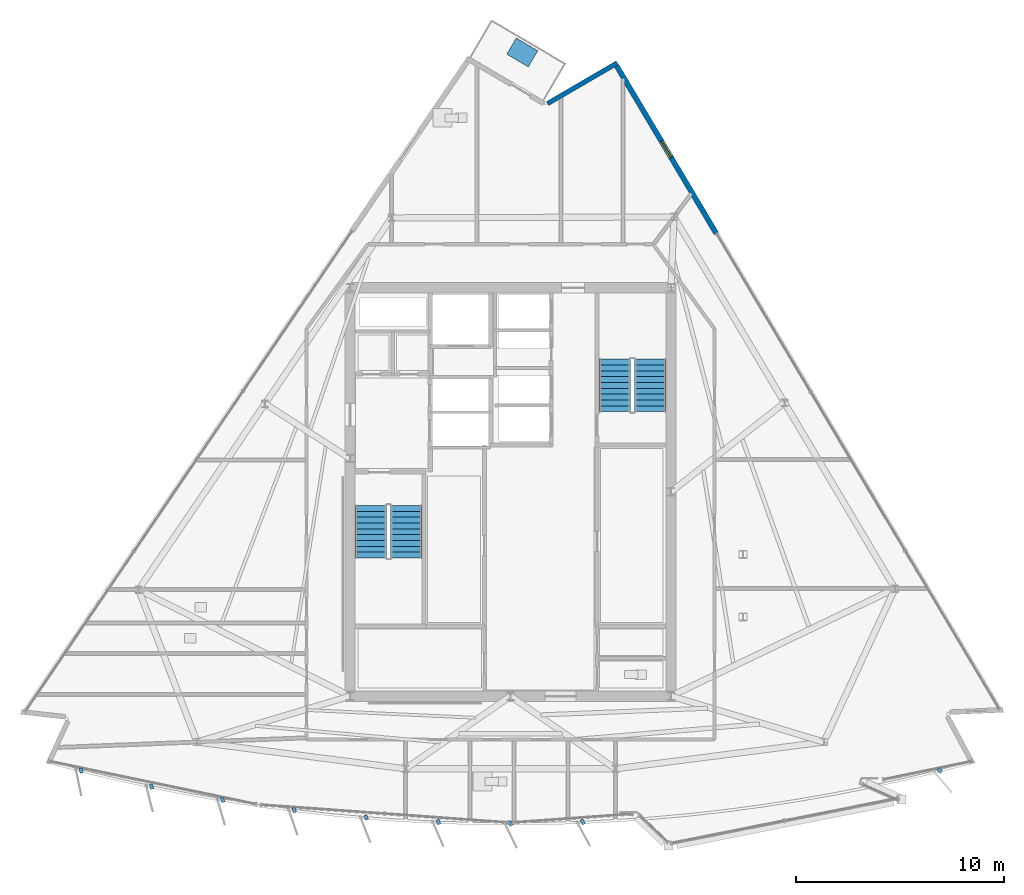
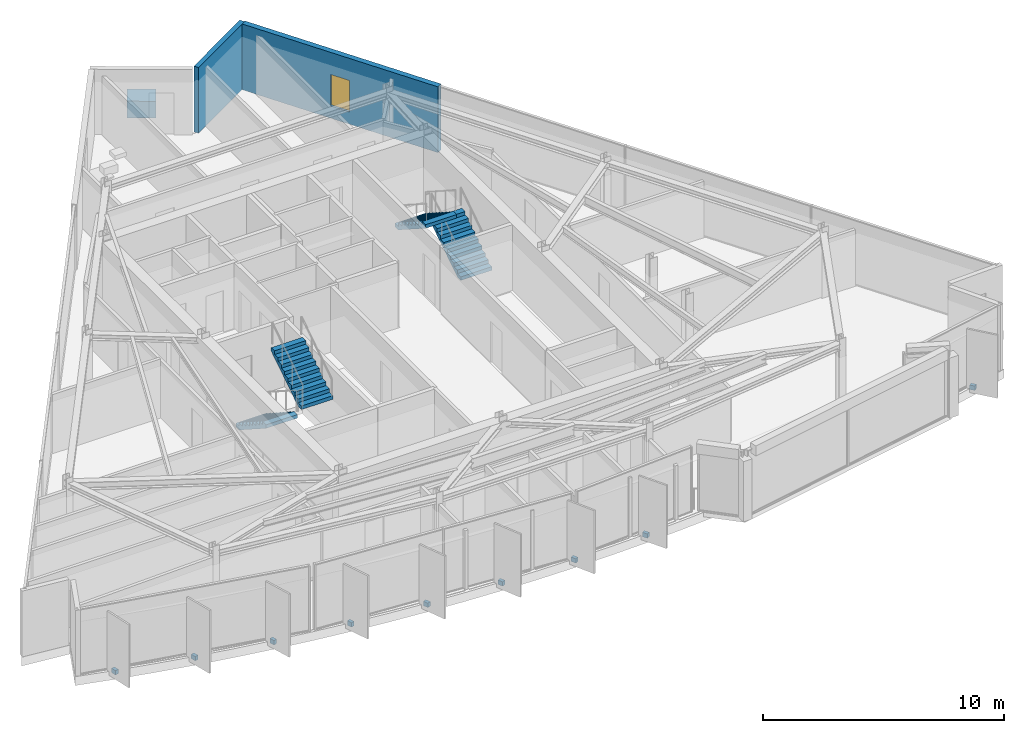
# One storey, part 10 of 14: 10 discrete accessories, 4 stair flights, 2 walls, 1 window, 1 opening, 2 elements without a shape of their own.
"""IFC4 building model written with IfcOpenShell, lengths in metres."""

import ifcopenshell
import ifcopenshell.guid

model = None  # the IFC model being written
_history = None  # IfcOwnerHistory: only IFC2X3 demands one
_inside = {}  # id of a spatial element -> (the spatial element, [elements in it])
_under = {}  # id of a project, library or spatial element -> (it, [spatial elements below it])
_declared = {}  # id of a project -> (the project, [libraries it declares])
_typed = {}  # id of a type object -> (the type object, [elements of that type])
_made_of = {}  # id of a material, layer set ... -> (it, [elements and type objects made of it])


def new_model(schema):
    """Start an empty IFC model of exactly this schema.

    Asked for "IFC4X3", IfcOpenShell would pick the latest addendum, in which some entities
    have other attributes; the version numbers below select the first issue.
    IFC2X3 requires an IfcOwnerHistory on every rooted entity: one is made here for all.
    """
    global model, _history
    if schema == "IFC4X3":
        model = ifcopenshell.file(schema_version=(4, 3, 0, 0))
    else:
        model = ifcopenshell.file(schema=schema)
    _inside.clear()
    _under.clear()
    _declared.clear()
    _typed.clear()
    _made_of.clear()
    _history = None
    if model.schema == "IFC2X3":
        org = make("IfcOrganization", Name="unknown")
        user = make(
            "IfcPersonAndOrganization",
            ThePerson=make("IfcPerson", FamilyName="unknown"),
            TheOrganization=org,
        )
        app = make(
            "IfcApplication",
            ApplicationDeveloper=org,
            Version="unknown",
            ApplicationFullName="unknown",
            ApplicationIdentifier="unknown",
        )
        _history = make(
            "IfcOwnerHistory",
            OwningUser=user,
            OwningApplication=app,
            ChangeAction="ADDED",
            CreationDate=0,
        )
    return model


def make(cls, **values):
    """One entity of the class cls with the attributes given. An attribute that is None is left unset."""
    return model.create_entity(
        cls, **{name: value for name, value in values.items() if value is not None}
    )


def rooted(cls, **values):
    """An entity with a GlobalId (a new one), such as an element, a storey or a relation."""
    return make(cls, GlobalId=ifcopenshell.guid.new(), OwnerHistory=_history, **values)


def si_unit(unit_type, name, prefix=None):
    """IfcSIUnit, for example si_unit("LENGTHUNIT", "METRE", prefix="MILLI")."""
    return make("IfcSIUnit", UnitType=unit_type, Prefix=prefix, Name=name)


def assignment(units):
    """IfcUnitAssignment: the units of a project."""
    return None if units is None else make("IfcUnitAssignment", Units=units)


def point(xyz):
    """IfcCartesianPoint."""
    return None if xyz is None else make("IfcCartesianPoint", Coordinates=xyz)


def direction(xyz):
    """IfcDirection."""
    return None if xyz is None else make("IfcDirection", DirectionRatios=xyz)


def frame(location, z_axis=None, x_axis=None):
    """IfcAxis2Placement3D, a coordinate frame: its origin and axes. An axis left out is left unset."""
    return make(
        "IfcAxis2Placement3D",
        Location=point(location),
        Axis=direction(z_axis),
        RefDirection=direction(x_axis),
    )


def frame_2d(location, x_axis=None):
    """IfcAxis2Placement2D, a coordinate frame in the plane: its origin and x axis."""
    return make(
        "IfcAxis2Placement2D", Location=point(location), RefDirection=direction(x_axis)
    )


def origin():
    """The frame at (0, 0, 0) with its axes left unset."""
    return frame((0.0, 0.0, 0.0))


def origin_2d():
    """The frame at (0, 0) in the plane with its x axis left unset."""
    return frame_2d((0.0, 0.0))


def place(relative_to, where):
    """IfcLocalPlacement: puts the frame where relative to a parent placement (None: the world)."""
    return make(
        "IfcLocalPlacement", PlacementRelTo=relative_to, RelativePlacement=where
    )


def context(
    kind, dimensions, precision=None, world=None, true_north=None, identifier=None
):
    """IfcGeometricRepresentationContext, for example the 3D "Model" context."""
    return make(
        "IfcGeometricRepresentationContext",
        ContextIdentifier=identifier,
        ContextType=kind,
        CoordinateSpaceDimension=dimensions,
        Precision=precision,
        WorldCoordinateSystem=world,
        TrueNorth=true_north,
    )


def subcontext(parent, identifier, kind, view, scale=None):
    """IfcGeometricRepresentationSubContext, for example "Body" below "Model"."""
    return make(
        "IfcGeometricRepresentationSubContext",
        ContextIdentifier=identifier,
        ContextType=kind,
        ParentContext=parent,
        TargetScale=scale,
        TargetView=view,
    )


def project(units=None, contexts=None):
    """IfcProject with its units and contexts."""
    return rooted(
        "IfcProject",
        Name="project",
        RepresentationContexts=contexts,
        UnitsInContext=assignment(units),
    )


def spatial(cls, under=None, at=None, **own):
    """A site, building, storey or space (cls), placed at a placement, below another one or the project."""
    s = rooted(cls, ObjectPlacement=at, **own)
    if under is not None:
        _under.setdefault(under.id(), (under, []))[1].append(s)
    return s


def polyline(points):
    """IfcPolyline through the points."""
    return make("IfcPolyline", Points=[point(p) for p in points])


def profile(cls, at=None, kind="AREA", **sizes):
    """A parametric profile (cls). Its sizes go by their IFC names, for example OverallWidth=200.0."""
    return make(cls, ProfileType=kind, Position=at, **sizes)


def rectangle(**sizes):
    """IfcRectangleProfileDef."""
    return profile("IfcRectangleProfileDef", **sizes)


def outline(outer, holes=None, kind="AREA"):
    """IfcArbitraryClosedProfileDef: a profile drawn as a closed curve; with holes, ...WithVoids."""
    if holes is None:
        return make("IfcArbitraryClosedProfileDef", ProfileType=kind, OuterCurve=outer)
    return make(
        "IfcArbitraryProfileDefWithVoids",
        ProfileType=kind,
        OuterCurve=outer,
        InnerCurves=holes,
    )


def extrude(swept, where, along, depth):
    """IfcExtrudedAreaSolid: the profile swept, set in the frame where, extruded along a direction by depth."""
    return make(
        "IfcExtrudedAreaSolid",
        SweptArea=swept,
        Position=where,
        ExtrudedDirection=direction(along),
        Depth=depth,
    )


def shape(context_of_items, identifier, shape_type, items):
    """IfcShapeRepresentation: the items that make up one representation, for example the "Body"."""
    return make(
        "IfcShapeRepresentation",
        ContextOfItems=context_of_items,
        RepresentationIdentifier=identifier,
        RepresentationType=shape_type,
        Items=items,
    )


def material(Name=None, Category=None):
    """IfcMaterial."""
    return make("IfcMaterial", Name=Name, Category=Category)


def layer(
    of_material, thickness, ventilated=None, Name=None, Category=None, Priority=None
):
    """IfcMaterialLayer: one layer of a wall or slab, of a material (None: an air gap)."""
    return make(
        "IfcMaterialLayer",
        Material=of_material,
        LayerThickness=thickness,
        IsVentilated=ventilated,
        Name=Name,
        Category=Category,
        Priority=Priority,
    )


def layer_set(layers, Name=None):
    """IfcMaterialLayerSet."""
    return make("IfcMaterialLayerSet", MaterialLayers=layers, LayerSetName=Name)


def made_of(thing, what):
    """Note that an element or type object is made of a material, layer set ...; save() writes the relation."""
    if what is not None:
        _made_of.setdefault(what.id(), (what, []))[1].append(thing)
    return thing


def type_object(cls, material=None, **own):
    """A type object (cls), such as IfcWallType, which elements share."""
    return made_of(rooted(cls, **own), material)


def element(
    cls,
    number,
    at=None,
    inside=None,
    cuts=None,
    type_object=None,
    material=None,
    context=None,
    identifier="Body",
    shape_type=None,
    held_by="IfcProductDefinitionShape",
    body=None,
    shapes=None,
    **own,
):
    """One element of the class cls, such as IfcWall. Its Tag is "e" and its number.

    at: its placement. inside: the storey or other place that contains it. cuts: it is an
    opening in that element (IfcRelVoidsElement). A single representation is given by context,
    identifier, shape_type and body (its items); several are given by shapes. held_by: the class
    of the entity that holds the representations. save() writes the other relations.
    """
    e = rooted(cls, Tag="e%d" % number, ObjectPlacement=at, **own)
    if body is not None:
        shapes = [shape(context, identifier, shape_type, body)]
    if shapes is not None:
        e.Representation = make(held_by, Representations=shapes)
    if inside is not None:
        _inside.setdefault(inside.id(), (inside, []))[1].append(e)
    if cuts is not None:
        rooted(
            "IfcRelVoidsElement", RelatingBuildingElement=cuts, RelatedOpeningElement=e
        )
    if type_object is not None:
        _typed.setdefault(type_object.id(), (type_object, []))[1].append(e)
    return made_of(e, material)


def fill(opening, filler):
    """IfcRelFillsElement: the door or window that sits in an opening."""
    return rooted(
        "IfcRelFillsElement",
        RelatingOpeningElement=opening,
        RelatedBuildingElement=filler,
    )


def aggregate(whole, parts):
    """IfcRelAggregates: a whole, such as a stair, and the parts it consists of."""
    return rooted("IfcRelAggregates", RelatingObject=whole, RelatedObjects=parts)


def save(model, path):
    """Write the relations noted so far, then the file.

    IfcRelAggregates (storeys below a building ...), IfcRelContainedInSpatialStructure (elements
    in a storey), IfcRelDefinesByType, IfcRelAssociatesMaterial and IfcRelDeclares: one each for
    every whole, place, type object, material and project.
    """
    for whole, parts in _under.values():
        aggregate(whole, parts)
    for where, things in _inside.values():
        rooted(
            "IfcRelContainedInSpatialStructure",
            RelatedElements=things,
            RelatingStructure=where,
        )
    for kind, things in _typed.values():
        rooted("IfcRelDefinesByType", RelatedObjects=things, RelatingType=kind)
    for what, things in _made_of.values():
        rooted("IfcRelAssociatesMaterial", RelatedObjects=things, RelatingMaterial=what)
    for by, libraries in _declared.values():
        rooted("IfcRelDeclares", RelatingContext=by, RelatedDefinitions=libraries)
    model.write(path)


model = new_model("IFC4")

# Units and contexts
model_context = context("Model", 3, precision=1e-05, world=origin(), true_north=direction((0.0, 1.0)))
body_context = subcontext(model_context, "Body", "Model", "MODEL_VIEW")
ifc_project = project(units=[si_unit("LENGTHUNIT", "METRE"), si_unit("AREAUNIT", "SQUARE_METRE"), si_unit("VOLUMEUNIT", "CUBIC_METRE"), si_unit("PLANEANGLEUNIT", "RADIAN"), si_unit("MASSUNIT", "GRAM", prefix="KILO")], contexts=[model_context])

# Site, building, storey
site_placement = place(None, origin())
site = spatial("IfcSite", under=ifc_project, at=site_placement, CompositionType="ELEMENT")
building_placement = place(site_placement, origin())
building = spatial("IfcBuilding", under=site, at=building_placement, Name="Savorim Split Tower", CompositionType="ELEMENT")
storey_placement = place(building_placement, frame((0.0, 0.0, 294.0)))
storey = spatial("IfcBuildingStorey", under=building, at=storey_placement, Name="L78", CompositionType="ELEMENT", Elevation=294.0)

# Wall
ifc_material_1 = material(Name="Precast concrete C40/50", Category="concrete")
ifc_layer_1 = layer(ifc_material_1, 0.219970703125)
ifc_layer_set_1 = layer_set([ifc_layer_1], Name="WAL-EXT-CRN220")
wall_type_1 = type_object("IfcWallType", Name="WAL-EXT-CRN220", PredefinedType="SOLIDWALL", material=ifc_layer_set_1)
wall_1_placement = place(storey_placement, frame((1.78271484375, 19.031005859375, 0.0), z_axis=(0.0, 0.0, 1.0), x_axis=(0.863972097652, 0.503539685108, 0.0)))
element("IfcWall", 1, at=wall_1_placement, inside=storey, type_object=wall_type_1, Name="L78 Notched Corner Facade Wall NE1", PredefinedType="SOLIDWALL", context=body_context, shape_type="SweptSolid", body=[
    extrude(rectangle(XDim=3.8486328125, YDim=0.219970703125, at=frame_2d((1.92431640625, 0.0))), origin(), (0.0, 0.0, 1.0), 3.340087890625),
])

# Wall, opening, window
ifc_layer_2 = layer(ifc_material_1, 0.25)
ifc_layer_set_2 = layer_set([ifc_layer_2], Name="WAL-EXT-SPN250")
wall_type_2 = type_object("IfcWallType", Name="WAL-EXT-SPN250", PredefinedType="SOLIDWALL", material=ifc_layer_set_2)
wall_2_placement = place(storey_placement, frame((5.09130859375, 20.84228515625, 0.0), z_axis=(0.0, 0.0, 1.0), x_axis=(0.511095217069, -0.859524100354, 0.0)))
wall_2 = element("IfcWall", 2, at=wall_2_placement, inside=storey, type_object=wall_type_2, Name="L78 East Operable Window Pier", PredefinedType="SOLIDWALL", context=body_context, shape_type="SweptSolid", body=[
    extrude(rectangle(XDim=9.344482421875, YDim=0.25, at=frame_2d((4.67236328125, 0.0))), origin(), (0.0, 0.0, 1.0), 3.340087890625),
])
opening_placement = place(wall_2_placement, frame((4.22216796875, 0.0, 0.6201171875)))
opening = element("IfcOpeningElement", 3, at=opening_placement, cuts=wall_2, Name="Opening WN-10", PredefinedType="OPENING", context=body_context, shape_type="SweptSolid", body=[
    extrude(rectangle(XDim=0.89990234375, YDim=1.60009765625, at=frame_2d((0.449951171875, 0.800048828125))), frame((0.0, 0.135009765625, 0.0), z_axis=(0.0, -1.0, 0.0), x_axis=(1.0, 0.0, 0.0)), (0.0, 0.0, 1.0), 0.27001953125),
])
ifc_material_2 = material(Name="Low-E Operable Double Glazing", Category="glass")
window_type = type_object("IfcWindowType", Name="WIN-TWR-900x1600", PartitioningType="SINGLE_PANEL", PredefinedType="WINDOW", material=ifc_material_2)
window_placement = place(opening_placement, origin())
window = element("IfcWindow", 4, at=window_placement, inside=storey, type_object=window_type, Name="L78 East Operable Ventilation Window", OverallHeight=1.60009765625, OverallWidth=0.89990234375, PartitioningType="SINGLE_PANEL", PredefinedType="WINDOW", context=body_context, shape_type="SweptSolid", body=[
    extrude(rectangle(XDim=0.89990234375, YDim=1.60009765625, at=frame_2d((0.449951171875, 0.800048828125))), frame((0.0, 0.030029296875, 0.0), z_axis=(0.0, -1.0, 0.0), x_axis=(1.0, 0.0, 0.0)), (0.0, 0.0, 1.0), 0.06005859375),
])
fill(opening, window)

# Stair, stair flights
ifc_material_3 = material(Name="Concrete C50/60", Category="concrete")
stair_type = type_object("IfcStairType", Name="STR-DOG-3600", PredefinedType="HALF_TURN_STAIR", material=ifc_material_3)
stair_1_placement = place(storey_placement, origin())
stair_1 = element("IfcStair", 5, at=stair_1_placement, inside=storey, type_object=stair_type, Name="L78 Core Protected Exit Stair ST-1", PredefinedType="HALF_TURN_STAIR")
stair_flight_type = type_object("IfcStairFlightType", Name="SFL-DOG-3600", PredefinedType="STRAIGHT", material=ifc_material_3)
stair_flight_1_placement = place(storey_placement, frame((-6.699951171875, -0.25, 0.0), z_axis=(0.0, 0.0, 1.0), x_axis=(0.0, -1.0, 0.0)))
stair_flight_1 = element("IfcStairFlight", 6, at=stair_flight_1_placement, type_object=stair_flight_type, Name="ST-1 flight 1", NumberOfRisers=10, NumberOfTreads=9, PredefinedType="STRAIGHT", RiserHeight=0.18, TreadLength=0.28, context=body_context, shape_type="SweptSolid", body=[
    extrude(outline(polyline([(0.0, 0.0), (0.0, 0.179931640625), (0.280029296875, 0.179931640625), (0.280029296875, 0.360107421875), (0.56005859375, 0.360107421875), (0.56005859375, 0.5400390625), (0.840087890625, 0.5400390625), (0.840087890625, 0.719970703125), (1.1201171875, 0.719970703125), (1.1201171875, 0.89990234375), (1.39990234375, 0.89990234375), (1.39990234375, 1.080078125), (1.679931640625, 1.080078125), (1.679931640625, 1.260009765625), (1.9599609375, 1.260009765625), (1.9599609375, 1.43994140625), (2.239990234375, 1.43994140625), (2.239990234375, 1.6201171875), (2.52001953125, 1.6201171875), (2.52001953125, 1.800048828125), (2.52001953125, 1.44189453125), (0.277099609375, 0.0), (0.0, 0.0)])), frame((0.0, 0.75, 0.0), z_axis=(0.0, -1.0, 0.0), x_axis=(1.0, 0.0, 0.0)), (0.0, 0.0, 1.0), 1.5),
])
stair_flight_2_placement = place(storey_placement, frame((-5.0, -2.77001953125, 1.800048828125), z_axis=(0.0, 0.0, 1.0), x_axis=(0.0, 1.0, 0.0)))
stair_flight_2 = element("IfcStairFlight", 7, at=stair_flight_2_placement, type_object=stair_flight_type, Name="ST-1 flight 2", NumberOfRisers=10, NumberOfTreads=9, PredefinedType="STRAIGHT", RiserHeight=0.18, TreadLength=0.28, context=body_context, shape_type="SweptSolid", body=[
    extrude(outline(polyline([(0.0, 0.0), (0.0, 0.179931640625), (0.280029296875, 0.179931640625), (0.280029296875, 0.360107421875), (0.56005859375, 0.360107421875), (0.56005859375, 0.5400390625), (0.840087890625, 0.5400390625), (0.840087890625, 0.719970703125), (1.1201171875, 0.719970703125), (1.1201171875, 0.89990234375), (1.39990234375, 0.89990234375), (1.39990234375, 1.080078125), (1.679931640625, 1.080078125), (1.679931640625, 1.260009765625), (1.9599609375, 1.260009765625), (1.9599609375, 1.43994140625), (2.239990234375, 1.43994140625), (2.239990234375, 1.6201171875), (2.52001953125, 1.6201171875), (2.52001953125, 1.800048828125), (2.52001953125, 1.44189453125), (0.277099609375, 0.0), (0.0, 0.0)])), frame((0.0, 0.75, 0.0), z_axis=(0.0, -1.0, 0.0), x_axis=(1.0, 0.0, 0.0)), (0.0, 0.0, 1.0), 1.5),
])
aggregate(stair_1, [stair_flight_1, stair_flight_2])

stair_2_placement = place(storey_placement, origin())
stair_2 = element("IfcStair", 8, at=stair_2_placement, inside=storey, type_object=stair_type, Name="L78 Core Protected Exit Stair ST-2", PredefinedType="HALF_TURN_STAIR")
stair_flight_3_placement = place(storey_placement, frame((6.699951171875, 4.25, 0.0), z_axis=(0.0, 0.0, 1.0), x_axis=(0.0, 1.0, 0.0)))
stair_flight_3 = element("IfcStairFlight", 9, at=stair_flight_3_placement, type_object=stair_flight_type, Name="ST-2 flight 1", NumberOfRisers=10, NumberOfTreads=9, PredefinedType="STRAIGHT", RiserHeight=0.18, TreadLength=0.28, context=body_context, shape_type="SweptSolid", body=[
    extrude(outline(polyline([(0.0, 0.0), (0.0, 0.179931640625), (0.280029296875, 0.179931640625), (0.280029296875, 0.360107421875), (0.56005859375, 0.360107421875), (0.56005859375, 0.5400390625), (0.840087890625, 0.5400390625), (0.840087890625, 0.719970703125), (1.1201171875, 0.719970703125), (1.1201171875, 0.89990234375), (1.39990234375, 0.89990234375), (1.39990234375, 1.080078125), (1.679931640625, 1.080078125), (1.679931640625, 1.260009765625), (1.9599609375, 1.260009765625), (1.9599609375, 1.43994140625), (2.239990234375, 1.43994140625), (2.239990234375, 1.6201171875), (2.52001953125, 1.6201171875), (2.52001953125, 1.800048828125), (2.52001953125, 1.44189453125), (0.277099609375, 0.0), (0.0, 0.0)])), frame((0.0, 0.75, 0.0), z_axis=(0.0, -1.0, 0.0), x_axis=(1.0, 0.0, 0.0)), (0.0, 0.0, 1.0), 1.5),
])
stair_flight_4_placement = place(storey_placement, frame((5.0, 6.77001953125, 1.800048828125), z_axis=(0.0, 0.0, 1.0), x_axis=(0.0, -1.0, 0.0)))
stair_flight_4 = element("IfcStairFlight", 10, at=stair_flight_4_placement, type_object=stair_flight_type, Name="ST-2 flight 2", NumberOfRisers=10, NumberOfTreads=9, PredefinedType="STRAIGHT", RiserHeight=0.18, TreadLength=0.28, context=body_context, shape_type="SweptSolid", body=[
    extrude(outline(polyline([(0.0, 0.0), (0.0, 0.179931640625), (0.280029296875, 0.179931640625), (0.280029296875, 0.360107421875), (0.56005859375, 0.360107421875), (0.56005859375, 0.5400390625), (0.840087890625, 0.5400390625), (0.840087890625, 0.719970703125), (1.1201171875, 0.719970703125), (1.1201171875, 0.89990234375), (1.39990234375, 0.89990234375), (1.39990234375, 1.080078125), (1.679931640625, 1.080078125), (1.679931640625, 1.260009765625), (1.9599609375, 1.260009765625), (1.9599609375, 1.43994140625), (2.239990234375, 1.43994140625), (2.239990234375, 1.6201171875), (2.52001953125, 1.6201171875), (2.52001953125, 1.800048828125), (2.52001953125, 1.44189453125), (0.277099609375, 0.0), (0.0, 0.0)])), frame((0.0, 0.75, 0.0), z_axis=(0.0, -1.0, 0.0), x_axis=(1.0, 0.0, 0.0)), (0.0, 0.0, 1.0), 1.5),
])
aggregate(stair_2, [stair_flight_3, stair_flight_4])

# Discrete accessories
ifc_material_4 = material(Name="Steel S355", Category="steel")
discrete_accessory_type_1 = type_object("IfcDiscreteAccessoryType", Name="ACC-BRK-FIN", PredefinedType="BRACKET", material=ifc_material_4)
for number, where, z_axis, x_axis, name in (
    (11, (-20.595703125, -12.967529296875, -0.18994140625), (0.0, 0.0, 1.0), (0.206721626106, -0.978399800337, 0.0), "L78 Fin Slab-Edge Cleat Bracket 01"),
    (12, (-17.216064453125, -13.7412109375, -0.18994140625), (0.0, 0.0, 1.0), (0.246581250663, -0.969122121727, 0.0), "L78 Fin Slab-Edge Cleat Bracket 02"),
    (13, (-13.8076171875, -14.376220703125, -0.18994140625), (0.0, 0.0, 1.0), (0.286026212504, -0.958221793616, 0.0), "L78 Fin Slab-Edge Cleat Bracket 03"),
    (14, (-10.3759765625, -14.87109375, -0.18994140625), (0.0, 0.0, 1.0), (0.324993810493, -0.945716143005, 0.0), "L78 Fin Slab-Edge Cleat Bracket 04"),
    (15, (-6.927001953125, -15.225341796875, -0.18994140625), (0.0, 0.0, 1.0), (0.363415461732, -0.931627179817, 0.0), "L78 Fin Slab-Edge Cleat Bracket 05"),
    (16, (-3.46630859375, -15.43798828125, -0.18994140625), (0.0, 0.0, 1.0), (0.401230091723, -0.915977299662, 0.0), "L78 Fin Slab-Edge Cleat Bracket 06"),
    (17, (0.0, -15.509033203125, -0.18994140625), (0.0, 0.0, 1.0), (0.438371146789, -0.898794046299, 0.0), "L78 Fin Slab-Edge Cleat Bracket 07"),
    (18, (3.46630859375, -15.43798828125, -0.18994140625), (0.0, 0.0, 1.0), (0.474778051978, -0.880105562623, 0.0), "L78 Fin Slab-Edge Cleat Bracket 08"),
    (19, (20.595703125, -12.967529296875, -0.18994140625), (0.0, 0.0, 1.0), (0.643719022682, -0.765261928909, 0.0), "L78 Fin Slab-Edge Cleat Bracket 13"),
):
    element("IfcDiscreteAccessory", number, at=place(storey_placement, frame(where, z_axis=z_axis, x_axis=x_axis)), inside=storey, type_object=discrete_accessory_type_1, Name=name, PredefinedType="BRACKET", context=body_context, shape_type="SweptSolid", body=[
        extrude(rectangle(XDim=0.239990234375, YDim=0.159912109375, at=origin_2d()), origin(), (0.0, 0.0, 1.0), 0.219970703125),
    ])
ifc_material_5 = material(Name="Architectural Precast Planter Concrete C40/50", Category="concrete")
discrete_accessory_type_2 = type_object("IfcDiscreteAccessoryType", Name="ACC-PLN-TREE", PredefinedType="USERDEFINED", material=ifc_material_5)
discrete_accessory_placement = place(storey_placement, frame((0.56494140625, 21.4794921875, 0.0), z_axis=(0.0, 0.0, 1.0), x_axis=(-0.862124808883, 0.50669597779, 0.0)))
element("IfcDiscreteAccessory", 20, at=discrete_accessory_placement, inside=storey, type_object=discrete_accessory_type_2, Name="L78 Balcony Precast Tree Planter N", ObjectType="PLANTER", PredefinedType="USERDEFINED", context=body_context, shape_type="SweptSolid", body=[
    extrude(rectangle(XDim=1.199951171875, YDim=0.89990234375, at=origin_2d()), origin(), (0.0, 0.0, 1.0), 0.85009765625),
])

save(model, "model.ifc")
